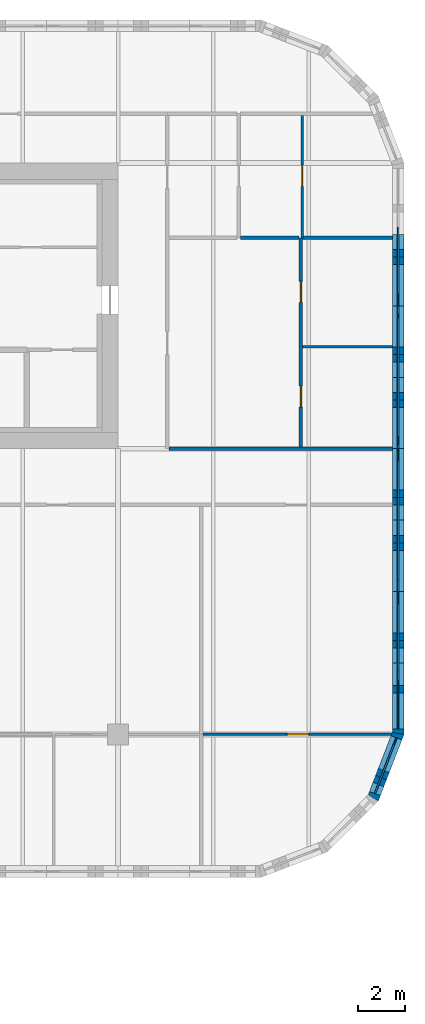
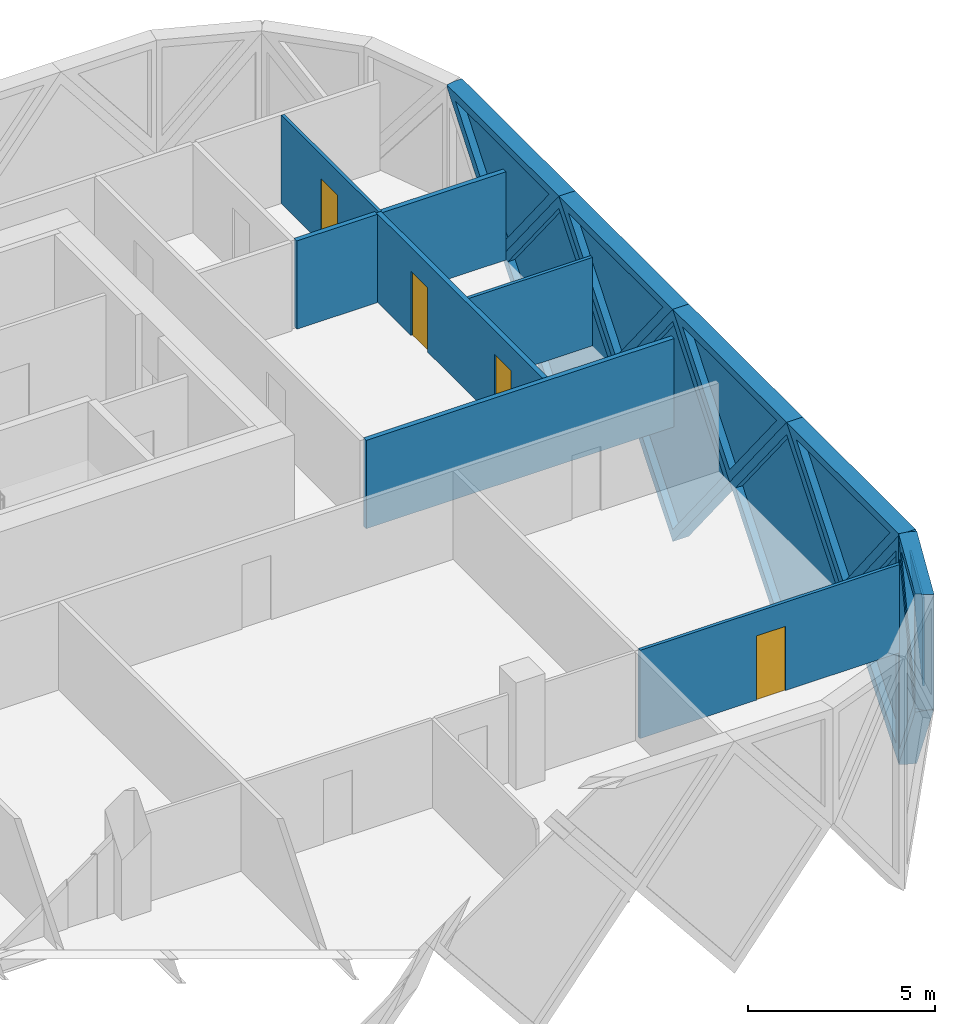
# One storey, part 20 of 24: 17 walls, 10 plates, 4 doors, 14 openings.
"""IFC4 building model written with IfcOpenShell, lengths in metres."""

from ifc_helpers import new_model, si_unit, direction, frame, frame_2d, origin, place, context, subcontext, project, spatial, polyline, rectangle, outline, extrude, faceted_brep, source, transform, mapped, material, layer, layer_set, type_object, element, fill, save


model = new_model("IFC4")

# Units and contexts
model_context = context("Model", 3, precision=1e-05, world=origin(), true_north=direction((0.0, 1.0)))
body_context = subcontext(model_context, "Body", "Model", "MODEL_VIEW")
ifc_project = project(units=[si_unit("LENGTHUNIT", "METRE"), si_unit("AREAUNIT", "SQUARE_METRE"), si_unit("VOLUMEUNIT", "CUBIC_METRE"), si_unit("PLANEANGLEUNIT", "RADIAN"), si_unit("MASSUNIT", "GRAM", prefix="KILO")], contexts=[model_context])

# Site, building, storey
site_placement = place(None, origin())
site = spatial("IfcSite", under=ifc_project, at=site_placement, CompositionType="ELEMENT")
building_placement = place(site_placement, origin())
building = spatial("IfcBuilding", under=site, at=building_placement, Name="Tessera Gate Towers", CompositionType="ELEMENT")
storey_placement = place(building_placement, frame((0.0, 0.0, 60.0)))
storey = spatial("IfcBuildingStorey", under=building, at=storey_placement, Name="L14", CompositionType="ELEMENT", Elevation=60.0)

# Wall
ifc_material_1 = material(Name="Gypsum board on steel studs, mineral wool", Category="steel")
ifc_layer_1 = layer(ifc_material_1, 0.14990234375)
ifc_layer_set_1 = layer_set([ifc_layer_1], Name="CORRIDOR WALL 150")
wall_type_1 = type_object("IfcWallType", Name="CORRIDOR WALL 150", PredefinedType="PARTITIONING", material=ifc_layer_set_1)
wall_1_placement = place(storey_placement, frame((124.176025390625, 36.60009765625, 0.0), z_axis=(0.0, 0.0, 1.0), x_axis=(1.0, 0.0, 0.0)))
element("IfcWall", 1, at=wall_1_placement, inside=storey, type_object=wall_type_1, Name="T2-L14-PW-020", PredefinedType="PARTITIONING", context=body_context, shape_type="SweptSolid", body=[
    extrude(rectangle(XDim=9.52392578125, YDim=0.14990234375, at=frame_2d((4.761962890625, 0.0))), origin(), (0.0, 0.0, 1.0), 2.887939453125),
])

# Wall, opening, door
ifc_material_2 = material(Name="Glass", Category="glass")
ifc_layer_2 = layer(ifc_material_2, 0.10009765625)
ifc_layer_set_2 = layer_set([ifc_layer_2], Name="GLAZED PARTITION 100")
wall_type_2 = type_object("IfcWallType", Name="GLAZED PARTITION 100", PredefinedType="PARTITIONING", material=ifc_layer_set_2)
wall_2_placement = place(storey_placement, frame((133.669921875, 24.4150390625, 0.0), z_axis=(0.0, 0.0, 1.0), x_axis=(-1.0, 0.0, 0.0)))
wall_2 = element("IfcWall", 2, at=wall_2_placement, inside=storey, type_object=wall_type_2, Name="T2-L14-PW-015", PredefinedType="PARTITIONING", context=body_context, shape_type="SweptSolid", body=[
    extrude(rectangle(XDim=8.0439453125, YDim=0.10009765625, at=frame_2d((4.02197265625, 0.0))), origin(), (0.0, 0.0, 1.0), 2.887939453125),
])
shared_shape_1 = source(origin(), body_context, "Body", "SweptSolid", [
    extrude(rectangle(XDim=0.89990234375, YDim=2.10009765625, at=frame_2d((0.449951171875, 1.050048828125))), frame((0.0, 0.06005859375, 0.0), z_axis=(0.0, -1.0, 0.0), x_axis=(1.0, 0.0, 0.0)), (0.0, 0.0, 1.0), 0.1201171875),
])
opening_1_placement = place(wall_2_placement, frame((3.5439453125, 0.0, 0.0)))
opening_1 = element("IfcOpeningElement", 3, at=opening_1_placement, cuts=wall_2, Name="Opening D690-B06-06", PredefinedType="OPENING", context=body_context, shape_type="MappedRepresentation", body=[
    mapped(shared_shape_1, transform((0.0, 0.0, 0.0), scale=1.0)),
])
ifc_material_3 = material(Name="Glass in aluminium frame", Category="aluminium")
door_type_1 = type_object("IfcDoorType", Name="GLAZED DOOR 900 NOT RATED", OperationType="NOTDEFINED", PredefinedType="DOOR", material=ifc_material_3)
shared_shape_2 = source(origin(), body_context, "Body", "SweptSolid", [
    extrude(rectangle(XDim=0.89990234375, YDim=2.10009765625, at=frame_2d((0.449951171875, 1.050048828125))), frame((0.0, 0.02490234375, 0.0), z_axis=(0.0, -1.0, 0.0), x_axis=(1.0, 0.0, 0.0)), (0.0, 0.0, 1.0), 0.050048828125),
])
door_1_placement = place(opening_1_placement, origin())
door_1 = element("IfcDoor", 4, at=door_1_placement, inside=storey, type_object=door_type_1, Name="T2-L14-PD-014", OperationType="SINGLE_SWING_RIGHT", OverallHeight=2.10009765625, OverallWidth=0.89990234375, PredefinedType="DOOR", context=body_context, shape_type="MappedRepresentation", body=[
    mapped(shared_shape_2, transform((0.0, 0.0, 0.0), scale=1.0)),
])
fill(opening_1, door_1)

# Wall
ifc_material_4 = material(Name="Gypsum board on steel studs", Category="steel")
ifc_layer_3 = layer(ifc_material_4, 0.10009765625)
ifc_layer_set_3 = layer_set([ifc_layer_3], Name="PARTITION 100")
wall_type_3 = type_object("IfcWallType", Name="PARTITION 100", PredefinedType="PARTITIONING", material=ifc_layer_set_3)
wall_3_placement = place(storey_placement, frame((129.8759765625, 40.947998046875, 0.0), z_axis=(0.0, 0.0, 1.0), x_axis=(1.0, 0.0, 0.0)))
element("IfcWall", 5, at=wall_3_placement, inside=storey, type_object=wall_type_3, Name="T2-L14-PW-023", PredefinedType="PARTITIONING", context=body_context, shape_type="SweptSolid", body=[
    extrude(rectangle(XDim=3.823974609375, YDim=0.10009765625, at=frame_2d((1.912109375, 0.0))), origin(), (0.0, 0.0, 1.0), 2.887939453125),
])

# Wall, opening, door
wall_4_placement = place(storey_placement, frame((129.85009765625, 50.823974609375, 0.0), z_axis=(0.0, 0.0, 1.0), x_axis=(0.0, -1.0, 0.0)))
wall_4 = element("IfcWall", 6, at=wall_4_placement, inside=storey, type_object=wall_type_3, Name="T2-L14-PW-028", PredefinedType="PARTITIONING", context=body_context, shape_type="SweptSolid", body=[
    extrude(rectangle(XDim=5.222900390625, YDim=0.10009765625, at=frame_2d((2.611328125, 0.0))), origin(), (0.0, 0.0, 1.0), 2.887939453125),
])
opening_2_placement = place(wall_4_placement, frame((2.123046875, 0.0, 0.0)))
opening_2 = element("IfcOpeningElement", 7, at=opening_2_placement, cuts=wall_4, Name="Opening D190-B06-03", PredefinedType="OPENING", context=body_context, shape_type="MappedRepresentation", body=[
    mapped(shared_shape_1, transform((0.0, 0.0, 0.0), scale=1.0)),
])
ifc_material_5 = material(Name="Timber door leaf in steel frame", Category="steel")
door_type_2 = type_object("IfcDoorType", Name="INTERNAL DOOR 900 NOT RATED", OperationType="NOTDEFINED", PredefinedType="DOOR", material=ifc_material_5)
door_2_placement = place(opening_2_placement, origin())
door_2 = element("IfcDoor", 8, at=door_2_placement, inside=storey, type_object=door_type_2, Name="T2-L14-PD-007", OperationType="SINGLE_SWING_RIGHT", OverallHeight=2.10009765625, OverallWidth=0.89990234375, PredefinedType="DOOR", context=body_context, shape_type="MappedRepresentation", body=[
    mapped(shared_shape_2, transform((0.0, 0.0, 0.0), scale=1.0)),
])
fill(opening_2, door_2)

# Wall, openings, doors
ifc_material_6 = material(Name="Gypsum board on steel studs, mineral wool", Category="steel")
ifc_layer_4 = layer(ifc_material_6, 0.14990234375)
ifc_layer_set_4 = layer_set([ifc_layer_4], Name="TENANCY WALL 150")
wall_type_4 = type_object("IfcWallType", Name="TENANCY WALL 150", PredefinedType="PARTITIONING", material=ifc_layer_set_4)
wall_5_placement = place(storey_placement, frame((129.800048828125, 45.60009765625, 0.0), z_axis=(0.0, 0.0, 1.0), x_axis=(0.0, -1.0, 0.0)))
wall_5 = element("IfcWall", 9, at=wall_5_placement, inside=storey, type_object=wall_type_4, Name="T2-L14-PW-022", PredefinedType="PARTITIONING", context=body_context, shape_type="SweptSolid", body=[
    extrude(rectangle(XDim=8.924072265625, YDim=0.14990234375, at=frame_2d((4.4619140625, 0.0))), origin(), (0.0, 0.0, 1.0), 2.887939453125),
])
shared_shape_3 = source(origin(), body_context, "Body", "SweptSolid", [
    extrude(rectangle(XDim=0.89990234375, YDim=2.10009765625, at=frame_2d((0.449951171875, 1.050048828125))), frame((0.0, 0.0849609375, 0.0), z_axis=(0.0, -1.0, 0.0), x_axis=(1.0, 0.0, 0.0)), (0.0, 0.0, 1.0), 0.169921875),
])
opening_3_placement = place(wall_5_placement, frame((6.323974609375, 0.0, 0.0)))
opening_3 = element("IfcOpeningElement", 10, at=opening_3_placement, cuts=wall_5, Name="Opening D190-B06-01", PredefinedType="OPENING", context=body_context, shape_type="MappedRepresentation", body=[
    mapped(shared_shape_3, transform((0.0, 0.0, 0.0), scale=1.0)),
])
opening_4_placement = place(wall_5_placement, frame((1.852294921875, 0.0, 0.0)))
opening_4 = element("IfcOpeningElement", 11, at=opening_4_placement, cuts=wall_5, Name="Opening D190-B06-02", PredefinedType="OPENING", context=body_context, shape_type="MappedRepresentation", body=[
    mapped(shared_shape_3, transform((0.0, 0.0, 0.0), scale=1.0)),
])
door_3_placement = place(opening_3_placement, origin())
door_3 = element("IfcDoor", 12, at=door_3_placement, inside=storey, type_object=door_type_2, Name="T2-L14-PD-002", OperationType="SINGLE_SWING_RIGHT", OverallHeight=2.10009765625, OverallWidth=0.89990234375, PredefinedType="DOOR", context=body_context, shape_type="MappedRepresentation", body=[
    mapped(shared_shape_2, transform((0.0, 0.0, 0.0), scale=1.0)),
])
fill(opening_3, door_3)
door_4_placement = place(opening_4_placement, origin())
door_4 = element("IfcDoor", 13, at=door_4_placement, inside=storey, type_object=door_type_2, Name="T2-L14-PD-003", OperationType="SINGLE_SWING_RIGHT", OverallHeight=2.10009765625, OverallWidth=0.89990234375, PredefinedType="DOOR", context=body_context, shape_type="MappedRepresentation", body=[
    mapped(shared_shape_2, transform((0.0, 0.0, 0.0), scale=1.0)),
])
fill(opening_4, door_4)

# Walls
wall_6_placement = place(storey_placement, frame((127.22607421875, 45.60009765625, 0.0), z_axis=(0.0, 0.0, 1.0), x_axis=(1.0, 0.0, 0.0)))
element("IfcWall", 14, at=wall_6_placement, inside=storey, type_object=wall_type_4, Name="T2-L14-PW-027", PredefinedType="PARTITIONING", context=body_context, shape_type="SweptSolid", body=[
    extrude(rectangle(XDim=2.498046875, YDim=0.14990234375, at=frame_2d((1.2490234375, 0.0))), origin(), (0.0, 0.0, 1.0), 2.887939453125),
])
wall_7_placement = place(storey_placement, frame((129.8759765625, 45.60009765625, 0.0), z_axis=(0.0, 0.0, 1.0), x_axis=(1.0, 0.0, 0.0)))
element("IfcWall", 15, at=wall_7_placement, inside=storey, type_object=wall_type_4, Name="T2-L14-PW-029", PredefinedType="PARTITIONING", context=body_context, shape_type="SweptSolid", body=[
    extrude(rectangle(XDim=3.823974609375, YDim=0.14990234375, at=frame_2d((1.912109375, 0.0))), origin(), (0.0, 0.0, 1.0), 2.887939453125),
])

# Wall, opening, plate
ifc_material_7 = material(Name="Precast concrete C60/75 white", Category="concrete")
ifc_layer_5 = layer(ifc_material_7, 0.5)
ifc_layer_set_5 = layer_set([ifc_layer_5], Name="TS1 tessera")
wall_type_5 = type_object("IfcWallType", Name="TS1 tessera", PredefinedType="SOLIDWALL", material=ifc_layer_set_5)
shared_shape_4 = source(origin(), body_context, "Body", "Brep", [
    faceted_brep([(3.050048828125, -0.25, 0.0), (6.099853515625, -0.25, 3.7998046875), (6.099853515625, -0.25, 3.80029296875), (3.050048828125, -0.25, 7.60009765625), (0.0, -0.25, 3.800048828125), (0.0, 0.25, 3.800048828125), (3.050048828125, 0.25, 7.60009765625), (6.099853515625, 0.25, 3.80029296875), (6.099853515625, 0.25, 3.7998046875), (3.050048828125, 0.25, 0.0)], [[[0, 1, 2, 3, 4]], [[5, 6, 7, 8, 9]], [[9, 8, 1, 0]], [[7, 6, 3, 2]], [[6, 5, 4, 3]], [[5, 9, 0, 4]], [[1, 8, 7, 2]]]),
])
wall_8_placement = place(storey_placement, frame((133.949951171875, 33.550048828125, -3.800048828125), z_axis=(0.0, 0.0, 1.0), x_axis=(0.0, 1.0, 0.0)))
wall_8 = element("IfcWall", 16, at=wall_8_placement, inside=storey, type_object=wall_type_5, Name="Precast tessera T2 TS1-0169", PredefinedType="SOLIDWALL", context=body_context, shape_type="MappedRepresentation", body=[
    mapped(shared_shape_4, transform((0.0, 0.0, 0.0), scale=1.0)),
])
shared_shape_5 = source(origin(), body_context, "Body", "SweptSolid", [
    extrude(outline(polyline([(3.050048828125, 0.3994140625), (5.779541015625, 3.800048828125), (3.050048828125, 7.20068359375), (0.320556640625, 3.800048828125), (3.050048828125, 0.3994140625)])), frame((0.0, 0.260009765625, 0.0), z_axis=(0.0, -1.0, 0.0), x_axis=(1.0, 0.0, 0.0)), (0.0, 0.0, 1.0), 0.52001953125),
])
opening_5_placement = place(wall_8_placement, origin())
opening_5 = element("IfcOpeningElement", 17, at=opening_5_placement, cuts=wall_8, Name="Opening T2-PL2-0317", PredefinedType="OPENING", context=body_context, shape_type="MappedRepresentation", body=[
    mapped(shared_shape_5, transform((0.0, 0.0, 0.0), scale=1.0)),
])
ifc_material_8 = material(Name="Low-e laminated glass", Category="glass")
ifc_layer_6 = layer(ifc_material_8, 0.06005859375)
ifc_layer_set_6 = layer_set([ifc_layer_6], Name="PL2 rhombic pane")
plate_type_1 = type_object("IfcPlateType", Name="PL2 rhombic pane", PredefinedType="SHEET", material=ifc_layer_set_6)
shared_shape_6 = source(origin(), body_context, "Body", "SweptSolid", [
    extrude(outline(polyline([(3.050048828125, 0.3994140625), (5.779541015625, 3.800048828125), (3.050048828125, 7.20068359375), (0.320556640625, 3.800048828125), (3.050048828125, 0.3994140625)])), frame((0.0, 0.030029296875, 0.0), z_axis=(0.0, -1.0, 0.0), x_axis=(1.0, 0.0, 0.0)), (0.0, 0.0, 1.0), 0.06005859375),
])
plate_1_placement = place(opening_5_placement, origin())
plate_1 = element("IfcPlate", 18, at=plate_1_placement, inside=storey, type_object=plate_type_1, Name="Glass pane T2 PL2-0317", PredefinedType="SHEET", context=body_context, shape_type="MappedRepresentation", body=[
    mapped(shared_shape_6, transform((0.0, 0.0, 0.0), scale=1.0)),
])
fill(opening_5, plate_1)

shared_shape_7 = source(origin(), body_context, "Body", "SweptSolid", [
    extrude(outline(polyline([(3.050048828125, 0.0), (6.10009765625, 3.800048828125), (3.050048828125, 7.60009765625), (0.0, 3.800048828125), (3.050048828125, 0.0)])), frame((0.0, 0.25, 0.0), z_axis=(0.0, -1.0, 0.0), x_axis=(1.0, 0.0, 0.0)), (0.0, 0.0, 1.0), 0.5),
])
wall_9_placement = place(storey_placement, frame((133.949951171875, 27.449951171875, -3.800048828125), z_axis=(0.0, 0.0, 1.0), x_axis=(0.0, 1.0, 0.0)))
wall_9 = element("IfcWall", 19, at=wall_9_placement, inside=storey, type_object=wall_type_5, Name="Precast tessera T2 TS1-0168", PredefinedType="SOLIDWALL", context=body_context, shape_type="MappedRepresentation", body=[
    mapped(shared_shape_7, transform((0.0, 0.0, 0.0), scale=1.0)),
])
opening_6_placement = place(wall_9_placement, origin())
opening_6 = element("IfcOpeningElement", 20, at=opening_6_placement, cuts=wall_9, Name="Opening T2-PL2-0316", PredefinedType="OPENING", context=body_context, shape_type="MappedRepresentation", body=[
    mapped(shared_shape_5, transform((0.0, 0.0, 0.0), scale=1.0)),
])
plate_2_placement = place(opening_6_placement, origin())
plate_2 = element("IfcPlate", 21, at=plate_2_placement, inside=storey, type_object=plate_type_1, Name="Glass pane T2 PL2-0316", PredefinedType="SHEET", context=body_context, shape_type="MappedRepresentation", body=[
    mapped(shared_shape_6, transform((0.0, 0.0, 0.0), scale=1.0)),
])
fill(opening_6, plate_2)

wall_10_placement = place(storey_placement, frame((133.949951171875, 39.64990234375, -3.800048828125), z_axis=(0.0, 0.0, 1.0), x_axis=(0.0, 1.0, 0.0)))
wall_10 = element("IfcWall", 22, at=wall_10_placement, inside=storey, type_object=wall_type_5, Name="Precast tessera T2 TS1-0170", PredefinedType="SOLIDWALL", context=body_context, shape_type="MappedRepresentation", body=[
    mapped(shared_shape_7, transform((0.0, 0.0, 0.0), scale=1.0)),
])
opening_7_placement = place(wall_10_placement, origin())
opening_7 = element("IfcOpeningElement", 23, at=opening_7_placement, cuts=wall_10, Name="Opening T2-PL2-0318", PredefinedType="OPENING", context=body_context, shape_type="MappedRepresentation", body=[
    mapped(shared_shape_5, transform((0.0, 0.0, 0.0), scale=1.0)),
])
plate_3_placement = place(opening_7_placement, origin())
plate_3 = element("IfcPlate", 24, at=plate_3_placement, inside=storey, type_object=plate_type_1, Name="Glass pane T2 PL2-0318", PredefinedType="SHEET", context=body_context, shape_type="MappedRepresentation", body=[
    mapped(shared_shape_6, transform((0.0, 0.0, 0.0), scale=1.0)),
])
fill(opening_7, plate_3)

ifc_material_9 = material(Name="Precast concrete C60/75 white", Category="concrete")
ifc_layer_7 = layer(ifc_material_9, 0.5)
ifc_layer_set_7 = layer_set([ifc_layer_7], Name="TS3 corner tessera")
wall_type_6 = type_object("IfcWallType", Name="TS3 corner tessera", PredefinedType="SOLIDWALL", material=ifc_layer_set_7)
shared_shape_8 = source(origin(), body_context, "Body", "Brep", [
    faceted_brep([(2.950439453125, -0.25, 0.0), (2.9970703125, -0.25, 0.05908203125), (2.9970703125, -0.25, 7.541015625), (2.950439453125, -0.25, 7.60009765625), (0.0, -0.25, 3.800048828125), (0.052978515625, 0.25, 3.8681640625), (2.904052734375, 0.25, 7.540283203125), (2.904052734375, 0.25, 0.059814453125), (0.052978515625, 0.25, 3.73193359375), (2.950439453125, 0.00048828125, 0.0), (2.950439453125, 0.00048828125, 7.60009765625), (0.0, 0.0, 3.800048828125)], [[[0, 1, 2, 3, 4]], [[5, 6, 7, 8]], [[1, 0, 9]], [[10, 3, 2]], [[6, 5, 11, 4, 3, 10]], [[8, 7, 9, 0, 4, 11]], [[8, 11, 5]], [[1, 9, 7, 6, 10, 2]]]),
])
wall_11_placement = place(storey_placement, frame((132.88818359375, 21.69384765625, -3.800048828125), z_axis=(0.0, 0.0, 1.0), x_axis=(0.359901446078, 0.932990326376, 0.0)))
wall_11 = element("IfcWall", 25, at=wall_11_placement, inside=storey, type_object=wall_type_6, Name="Precast corner tessera T2 TS3-0195", PredefinedType="SOLIDWALL", context=body_context, shape_type="MappedRepresentation", body=[
    mapped(shared_shape_8, transform((0.0, 0.0, 0.0), scale=1.0)),
])
shared_shape_9 = source(origin(), body_context, "Body", "SweptSolid", [
    extrude(outline(polyline([(2.75048828125, 6.934814453125), (0.31640625, 3.800048828125), (2.75048828125, 0.665283203125), (2.75048828125, 6.934814453125)])), frame((0.0, 0.260009765625, 0.0), z_axis=(0.0, -1.0, 0.0), x_axis=(1.0, 0.0, 0.0)), (0.0, 0.0, 1.0), 0.52001953125),
])
opening_8_placement = place(wall_11_placement, origin())
opening_8 = element("IfcOpeningElement", 26, at=opening_8_placement, cuts=wall_11, Name="Opening T2-PL2-0314", PredefinedType="OPENING", context=body_context, shape_type="MappedRepresentation", body=[
    mapped(shared_shape_9, transform((0.0, 0.0, 0.0), scale=1.0)),
])
shared_shape_10 = source(origin(), body_context, "Body", "SweptSolid", [
    extrude(outline(polyline([(2.75048828125, 6.934814453125), (0.31640625, 3.800048828125), (2.75048828125, 0.665283203125), (2.75048828125, 6.934814453125)])), frame((0.0, 0.030029296875, 0.0), z_axis=(0.0, -1.0, 0.0), x_axis=(1.0, 0.0, 0.0)), (0.0, 0.0, 1.0), 0.06005859375),
])
plate_4_placement = place(opening_8_placement, origin())
plate_4 = element("IfcPlate", 27, at=plate_4_placement, inside=storey, type_object=plate_type_1, Name="Glass pane T2 PL2-0314", PredefinedType="SHEET", context=body_context, shape_type="MappedRepresentation", body=[
    mapped(shared_shape_10, transform((0.0, 0.0, 0.0), scale=1.0)),
])
fill(opening_8, plate_4)

shared_shape_11 = source(origin(), body_context, "Body", "Brep", [
    faceted_brep([(0.046630859375, -0.25, 0.0), (3.050048828125, -0.25, 3.800048828125), (0.046630859375, -0.25, 7.60009765625), (0.0, -0.25, 7.5400390625), (0.0, -0.25, 0.06005859375), (0.09326171875, 0.25, 7.541259765625), (3.050048828125, 0.25, 3.800048828125), (0.09326171875, 0.25, 0.058837890625), (0.046630859375, 0.0, 0.0), (0.046630859375, 0.0, 7.60009765625)], [[[0, 1, 2, 3, 4]], [[5, 6, 7]], [[7, 6, 1, 0, 8]], [[6, 5, 9, 2, 1]], [[3, 2, 9]], [[8, 0, 4]], [[7, 8, 4, 3, 9, 5]]]),
])
wall_12_placement = place(storey_placement, frame((133.949951171875, 24.39990234375, -3.800048828125), z_axis=(0.0, 0.0, 1.0), x_axis=(0.0, 1.0, 0.0)))
wall_12 = element("IfcWall", 28, at=wall_12_placement, inside=storey, type_object=wall_type_6, Name="Precast corner tessera T2 TS3-0196", PredefinedType="SOLIDWALL", context=body_context, shape_type="MappedRepresentation", body=[
    mapped(shared_shape_11, transform((0.0, 0.0, 0.0), scale=1.0)),
])
shared_shape_12 = source(origin(), body_context, "Body", "SweptSolid", [
    extrude(outline(polyline([(0.24658203125, 0.65625), (2.7314453125, 3.800048828125), (0.24658203125, 6.94384765625), (0.24658203125, 0.65625)])), frame((0.0, 0.260009765625, 0.0), z_axis=(0.0, -1.0, 0.0), x_axis=(1.0, 0.0, 0.0)), (0.0, 0.0, 1.0), 0.52001953125),
])
opening_9_placement = place(wall_12_placement, origin())
opening_9 = element("IfcOpeningElement", 29, at=opening_9_placement, cuts=wall_12, Name="Opening T2-PL2-0315", PredefinedType="OPENING", context=body_context, shape_type="MappedRepresentation", body=[
    mapped(shared_shape_12, transform((0.0, 0.0, 0.0), scale=1.0)),
])
shared_shape_13 = source(origin(), body_context, "Body", "SweptSolid", [
    extrude(outline(polyline([(0.24658203125, 0.65625), (2.7314453125, 3.800048828125), (0.24658203125, 6.94384765625), (0.24658203125, 0.65625)])), frame((0.0, 0.030029296875, 0.0), z_axis=(0.0, -1.0, 0.0), x_axis=(1.0, 0.0, 0.0)), (0.0, 0.0, 1.0), 0.06005859375),
])
plate_5_placement = place(opening_9_placement, origin())
plate_5 = element("IfcPlate", 30, at=plate_5_placement, inside=storey, type_object=plate_type_1, Name="Glass pane T2 PL2-0315", PredefinedType="SHEET", context=body_context, shape_type="MappedRepresentation", body=[
    mapped(shared_shape_13, transform((0.0, 0.0, 0.0), scale=1.0)),
])
fill(opening_9, plate_5)

ifc_material_10 = material(Name="Precast concrete C60/75 white", Category="concrete")
ifc_layer_8 = layer(ifc_material_10, 0.5)
ifc_layer_set_8 = layer_set([ifc_layer_8], Name="TS2 half tessera")
wall_type_7 = type_object("IfcWallType", Name="TS2 half tessera", PredefinedType="SOLIDWALL", material=ifc_layer_set_8)
shared_shape_14 = source(origin(), body_context, "Body", "Brep", [
    faceted_brep([(3.050048828125, -0.25, 0.0), (6.099853515625, -0.25, 3.7998046875), (6.099853515625, -0.25, 3.800048828125), (0.0, -0.25, 3.800048828125), (0.0, 0.25, 3.800048828125), (6.099853515625, 0.25, 3.800048828125), (6.099853515625, 0.25, 3.7998046875), (3.050048828125, 0.25, 0.0)], [[[0, 1, 2, 3]], [[4, 5, 6, 7]], [[7, 6, 1, 0]], [[5, 4, 3, 2]], [[4, 7, 0, 3]], [[1, 6, 5, 2]]]),
])
wall_13_placement = place(storey_placement, frame((133.949951171875, 36.60009765625, 0.0), z_axis=(0.0, 0.0, 1.0), x_axis=(0.0, 1.0, 0.0)))
wall_13 = element("IfcWall", 31, at=wall_13_placement, inside=storey, type_object=wall_type_7, Name="Precast half tessera T2 TS2-0061", PredefinedType="SOLIDWALL", context=body_context, shape_type="MappedRepresentation", body=[
    mapped(shared_shape_14, transform((0.0, 0.0, 0.0), scale=1.0)),
])
shared_shape_15 = source(origin(), body_context, "Body", "SweptSolid", [
    extrude(outline(polyline([(3.050048828125, 0.3994140625), (5.578857421875, 3.550048828125), (0.521240234375, 3.550048828125), (3.050048828125, 0.3994140625)])), frame((0.0, 0.260009765625, 0.0), z_axis=(0.0, -1.0, 0.0), x_axis=(1.0, 0.0, 0.0)), (0.0, 0.0, 1.0), 0.52001953125),
])
opening_10_placement = place(wall_13_placement, origin())
opening_10 = element("IfcOpeningElement", 32, at=opening_10_placement, cuts=wall_13, Name="Opening T2-PL1-0115", PredefinedType="OPENING", context=body_context, shape_type="MappedRepresentation", body=[
    mapped(shared_shape_15, transform((0.0, 0.0, 0.0), scale=1.0)),
])
ifc_material_11 = material(Name="Low-e laminated glass", Category="glass")
ifc_layer_9 = layer(ifc_material_11, 0.06005859375)
ifc_layer_set_9 = layer_set([ifc_layer_9], Name="PL1 triangular pane")
plate_type_2 = type_object("IfcPlateType", Name="PL1 triangular pane", PredefinedType="SHEET", material=ifc_layer_set_9)
shared_shape_16 = source(origin(), body_context, "Body", "SweptSolid", [
    extrude(outline(polyline([(3.050048828125, 0.3994140625), (5.578857421875, 3.550048828125), (0.521240234375, 3.550048828125), (3.050048828125, 0.3994140625)])), frame((0.0, 0.030029296875, 0.0), z_axis=(0.0, -1.0, 0.0), x_axis=(1.0, 0.0, 0.0)), (0.0, 0.0, 1.0), 0.06005859375),
])
plate_6_placement = place(opening_10_placement, origin())
plate_6 = element("IfcPlate", 33, at=plate_6_placement, inside=storey, type_object=plate_type_2, Name="Glass pane T2 PL1-0115", PredefinedType="SHEET", context=body_context, shape_type="MappedRepresentation", body=[
    mapped(shared_shape_16, transform((0.0, 0.0, 0.0), scale=1.0)),
])
fill(opening_10, plate_6)

shared_shape_17 = source(origin(), body_context, "Body", "SweptSolid", [
    extrude(outline(polyline([(3.050048828125, 0.0), (6.10009765625, 3.800048828125), (0.0, 3.800048828125), (3.050048828125, 0.0)])), frame((0.0, 0.25, 0.0), z_axis=(0.0, -1.0, 0.0), x_axis=(1.0, 0.0, 0.0)), (0.0, 0.0, 1.0), 0.5),
])
wall_14_placement = place(storey_placement, frame((133.949951171875, 30.5, 0.0), z_axis=(0.0, 0.0, 1.0), x_axis=(0.0, 1.0, 0.0)))
wall_14 = element("IfcWall", 34, at=wall_14_placement, inside=storey, type_object=wall_type_7, Name="Precast half tessera T2 TS2-0060", PredefinedType="SOLIDWALL", context=body_context, shape_type="MappedRepresentation", body=[
    mapped(shared_shape_17, transform((0.0, 0.0, 0.0), scale=1.0)),
])
opening_11_placement = place(wall_14_placement, origin())
opening_11 = element("IfcOpeningElement", 35, at=opening_11_placement, cuts=wall_14, Name="Opening T2-PL1-0114", PredefinedType="OPENING", context=body_context, shape_type="MappedRepresentation", body=[
    mapped(shared_shape_15, transform((0.0, 0.0, 0.0), scale=1.0)),
])
plate_7_placement = place(opening_11_placement, origin())
plate_7 = element("IfcPlate", 36, at=plate_7_placement, inside=storey, type_object=plate_type_2, Name="Glass pane T2 PL1-0114", PredefinedType="SHEET", context=body_context, shape_type="MappedRepresentation", body=[
    mapped(shared_shape_16, transform((0.0, 0.0, 0.0), scale=1.0)),
])
fill(opening_11, plate_7)

shared_shape_18 = source(origin(), body_context, "Body", "Brep", [
    faceted_brep([(3.00341796875, -0.25, 0.0), (6.053466796875, -0.25, 3.800048828125), (0.0, -0.25, 3.800048828125), (0.046630859375, 0.25, 3.800048828125), (6.053466796875, 0.25, 3.800048828125), (3.00341796875, 0.25, 0.0), (0.046630859375, 0.25, 3.7412109375), (0.0, 0.0, 3.800048828125)], [[[0, 1, 2]], [[3, 4, 5, 6]], [[5, 4, 1, 0]], [[4, 3, 7, 2, 1]], [[6, 5, 0, 2, 7]], [[6, 7, 3]]]),
])
wall_15_placement = place(storey_placement, frame((133.949951171875, 24.446533203125, 0.0), z_axis=(0.0, 0.0, 1.0), x_axis=(0.0, 1.0, 0.0)))
wall_15 = element("IfcWall", 37, at=wall_15_placement, inside=storey, type_object=wall_type_7, Name="Precast half tessera T2 TS2-0059", PredefinedType="SOLIDWALL", context=body_context, shape_type="MappedRepresentation", body=[
    mapped(shared_shape_18, transform((0.0, 0.0, 0.0), scale=1.0)),
])
shared_shape_19 = source(origin(), body_context, "Body", "SweptSolid", [
    extrude(outline(polyline([(3.0048828125, 0.4013671875), (5.5322265625, 3.550048828125), (0.516357421875, 3.550048828125), (3.0048828125, 0.4013671875)])), frame((0.0, 0.260009765625, 0.0), z_axis=(0.0, -1.0, 0.0), x_axis=(1.0, 0.0, 0.0)), (0.0, 0.0, 1.0), 0.52001953125),
])
opening_12_placement = place(wall_15_placement, origin())
opening_12 = element("IfcOpeningElement", 38, at=opening_12_placement, cuts=wall_15, Name="Opening T2-PL1-0113", PredefinedType="OPENING", context=body_context, shape_type="MappedRepresentation", body=[
    mapped(shared_shape_19, transform((0.0, 0.0, 0.0), scale=1.0)),
])
shared_shape_20 = source(origin(), body_context, "Body", "SweptSolid", [
    extrude(outline(polyline([(3.0048828125, 0.4013671875), (5.5322265625, 3.550048828125), (0.516357421875, 3.550048828125), (3.0048828125, 0.4013671875)])), frame((0.0, 0.030029296875, 0.0), z_axis=(0.0, -1.0, 0.0), x_axis=(1.0, 0.0, 0.0)), (0.0, 0.0, 1.0), 0.06005859375),
])
plate_8_placement = place(opening_12_placement, origin())
plate_8 = element("IfcPlate", 39, at=plate_8_placement, inside=storey, type_object=plate_type_2, Name="Glass pane T2 PL1-0113", PredefinedType="SHEET", context=body_context, shape_type="MappedRepresentation", body=[
    mapped(shared_shape_20, transform((0.0, 0.0, 0.0), scale=1.0)),
])
fill(opening_12, plate_8)

shared_shape_21 = source(origin(), body_context, "Body", "Brep", [
    faceted_brep([(3.050048828125, -0.25, 0.0), (6.053466796875, -0.25, 3.800048828125), (0.0, -0.25, 3.800048828125), (0.0, 0.25, 3.800048828125), (6.0068359375, 0.25, 3.800048828125), (6.0068359375, 0.25, 3.7412109375), (3.050048828125, 0.25, 0.0), (6.053466796875, 0.0, 3.800048828125)], [[[0, 1, 2]], [[3, 4, 5, 6]], [[6, 5, 7, 1, 0]], [[4, 3, 2, 1, 7]], [[3, 6, 0, 2]], [[5, 4, 7]]]),
])
wall_16_placement = place(storey_placement, frame((133.949951171875, 42.699951171875, 0.0), z_axis=(0.0, 0.0, 1.0), x_axis=(0.0, 1.0, 0.0)))
wall_16 = element("IfcWall", 40, at=wall_16_placement, inside=storey, type_object=wall_type_7, Name="Precast half tessera T2 TS2-0062", PredefinedType="SOLIDWALL", context=body_context, shape_type="MappedRepresentation", body=[
    mapped(shared_shape_21, transform((0.0, 0.0, 0.0), scale=1.0)),
])
shared_shape_22 = source(origin(), body_context, "Body", "SweptSolid", [
    extrude(outline(polyline([(3.048583984375, 0.4013671875), (5.537109375, 3.550048828125), (0.521240234375, 3.550048828125), (3.048583984375, 0.4013671875)])), frame((0.0, 0.260009765625, 0.0), z_axis=(0.0, -1.0, 0.0), x_axis=(1.0, 0.0, 0.0)), (0.0, 0.0, 1.0), 0.52001953125),
])
opening_13_placement = place(wall_16_placement, origin())
opening_13 = element("IfcOpeningElement", 41, at=opening_13_placement, cuts=wall_16, Name="Opening T2-PL1-0116", PredefinedType="OPENING", context=body_context, shape_type="MappedRepresentation", body=[
    mapped(shared_shape_22, transform((0.0, 0.0, 0.0), scale=1.0)),
])
shared_shape_23 = source(origin(), body_context, "Body", "SweptSolid", [
    extrude(outline(polyline([(3.048583984375, 0.4013671875), (5.537109375, 3.550048828125), (0.521240234375, 3.550048828125), (3.048583984375, 0.4013671875)])), frame((0.0, 0.030029296875, 0.0), z_axis=(0.0, -1.0, 0.0), x_axis=(1.0, 0.0, 0.0)), (0.0, 0.0, 1.0), 0.06005859375),
])
plate_9_placement = place(opening_13_placement, origin())
plate_9 = element("IfcPlate", 42, at=plate_9_placement, inside=storey, type_object=plate_type_2, Name="Glass pane T2 PL1-0116", PredefinedType="SHEET", context=body_context, shape_type="MappedRepresentation", body=[
    mapped(shared_shape_23, transform((0.0, 0.0, 0.0), scale=1.0)),
])
fill(opening_13, plate_9)

shared_shape_24 = source(origin(), body_context, "Body", "Brep", [
    faceted_brep([(0.052978515625, -0.25, 0.0), (3.00341796875, -0.25, 3.800048828125), (0.0, -0.25, 3.800048828125), (0.0, -0.25, 0.068359375), (0.10595703125, 0.25, 3.800048828125), (2.95703125, 0.25, 3.800048828125), (2.95703125, 0.25, 3.740234375), (0.10595703125, 0.25, 0.068115234375), (3.00341796875, 0.00048828125, 3.800048828125), (0.052978515625, 0.0, 0.0)], [[[0, 1, 2, 3]], [[4, 5, 6, 7]], [[7, 6, 8, 1, 0, 9]], [[5, 4, 2, 1, 8]], [[9, 0, 3]], [[7, 9, 3, 2, 4]], [[6, 5, 8]]]),
])
wall_17_placement = place(storey_placement, frame((132.869140625, 21.644287109375, 0.0), z_axis=(0.0, 0.0, 1.0), x_axis=(0.359855894603, 0.933007896601, 0.0)))
wall_17 = element("IfcWall", 43, at=wall_17_placement, inside=storey, type_object=wall_type_6, Name="Precast corner tessera T2 TS3-0214", PredefinedType="SOLIDWALL", context=body_context, shape_type="MappedRepresentation", body=[
    mapped(shared_shape_24, transform((0.0, 0.0, 0.0), scale=1.0)),
])
shared_shape_25 = source(origin(), body_context, "Body", "SweptSolid", [
    extrude(outline(polyline([(0.2529296875, 0.665283203125), (2.492919921875, 3.550048828125), (0.2529296875, 3.550048828125), (0.2529296875, 0.665283203125)])), frame((0.0, 0.260009765625, 0.0), z_axis=(0.0, -1.0, 0.0), x_axis=(1.0, 0.0, 0.0)), (0.0, 0.0, 1.0), 0.52001953125),
])
opening_14_placement = place(wall_17_placement, origin())
opening_14 = element("IfcOpeningElement", 44, at=opening_14_placement, cuts=wall_17, Name="Opening T2-PL1-0112", PredefinedType="OPENING", context=body_context, shape_type="MappedRepresentation", body=[
    mapped(shared_shape_25, transform((0.0, 0.0, 0.0), scale=1.0)),
])
shared_shape_26 = source(origin(), body_context, "Body", "SweptSolid", [
    extrude(outline(polyline([(0.2529296875, 0.665283203125), (2.492919921875, 3.550048828125), (0.2529296875, 3.550048828125), (0.2529296875, 0.665283203125)])), frame((0.0, 0.030029296875, 0.0), z_axis=(0.0, -1.0, 0.0), x_axis=(1.0, 0.0, 0.0)), (0.0, 0.0, 1.0), 0.06005859375),
])
plate_10_placement = place(opening_14_placement, origin())
plate_10 = element("IfcPlate", 45, at=plate_10_placement, inside=storey, type_object=plate_type_2, Name="Glass pane T2 PL1-0112", PredefinedType="SHEET", context=body_context, shape_type="MappedRepresentation", body=[
    mapped(shared_shape_26, transform((0.0, 0.0, 0.0), scale=1.0)),
])
fill(opening_14, plate_10)

save(model, "model.ifc")
